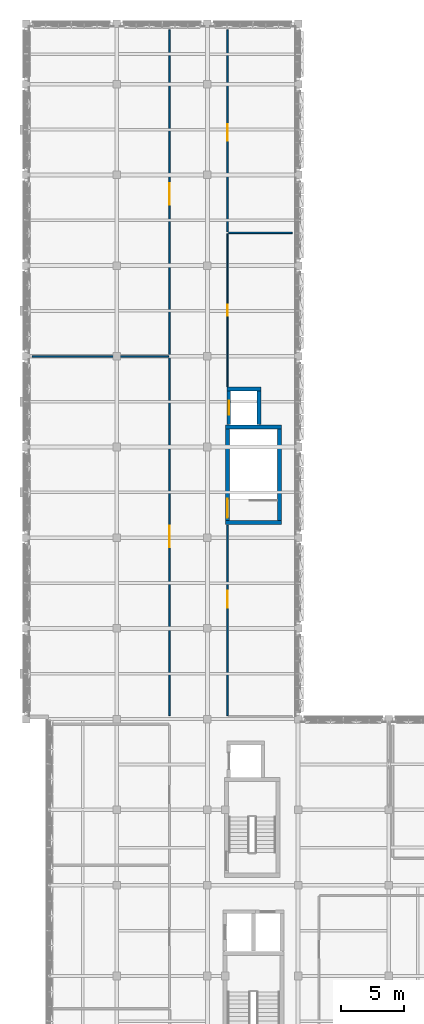
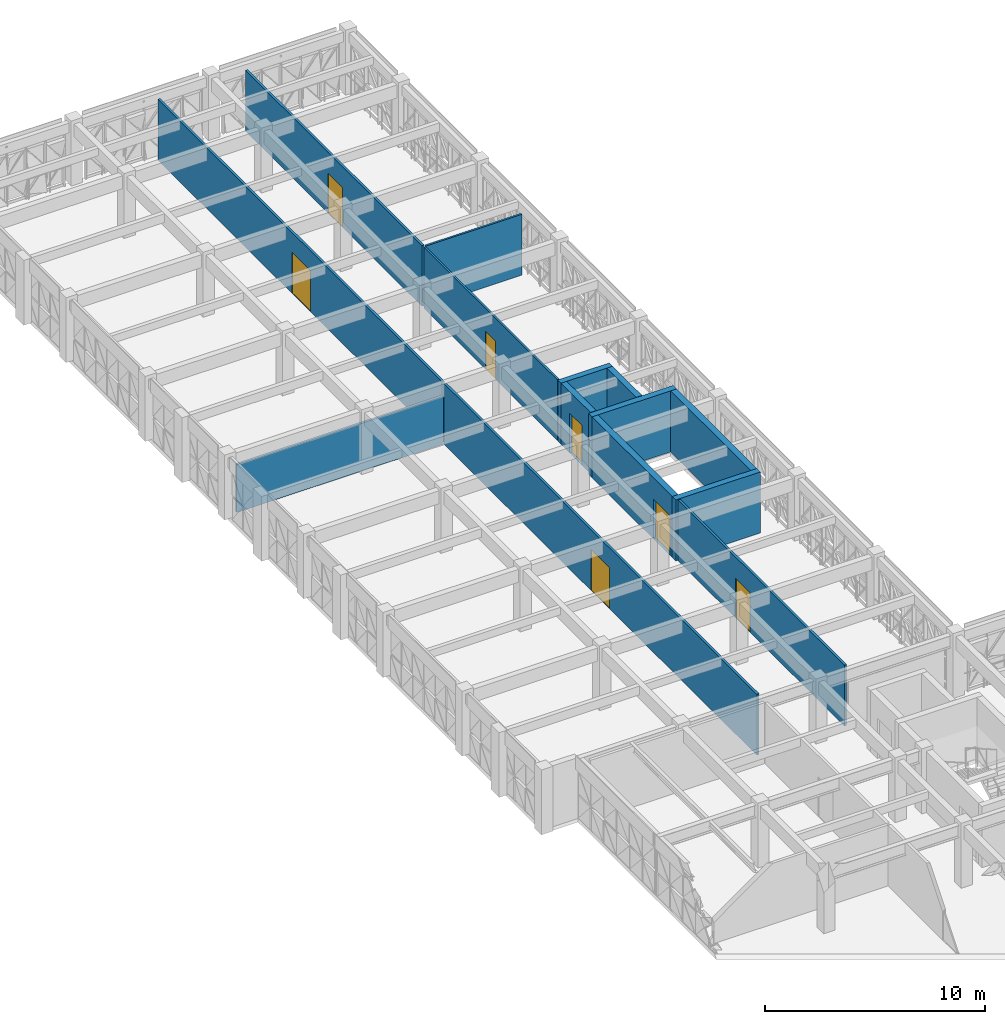
# One storey, part 43 of 74: 14 walls, 7 doors, 7 openings.
"""IFC4 building model written with IfcOpenShell, lengths in metres."""

from ifc_helpers import new_model, si_unit, direction, frame, frame_2d, origin, place, context, subcontext, project, spatial, rectangle, extrude, material, layer, layer_set, type_object, element, fill, save


model = new_model("IFC4")

# Units and contexts
model_context = context("Model", 3, precision=1e-05, world=origin(), true_north=direction((0.0, 1.0)))
body_context = subcontext(model_context, "Body", "Model", "MODEL_VIEW")
ifc_project = project(units=[si_unit("LENGTHUNIT", "METRE"), si_unit("AREAUNIT", "SQUARE_METRE"), si_unit("VOLUMEUNIT", "CUBIC_METRE"), si_unit("PLANEANGLEUNIT", "RADIAN"), si_unit("MASSUNIT", "GRAM", prefix="KILO")], contexts=[model_context])

# Site, building, storey
site_placement = place(None, origin())
site = spatial("IfcSite", under=ifc_project, at=site_placement, CompositionType="ELEMENT")
building_placement = place(site_placement, origin())
building = spatial("IfcBuilding", under=site, at=building_placement, Name="Alvorim Cloister Faculty of Sciences", CompositionType="ELEMENT")
storey_placement = place(building_placement, frame((0.0, 0.0, 15.75)))
storey = spatial("IfcBuildingStorey", under=building, at=storey_placement, Name="L04", CompositionType="ELEMENT", Elevation=15.75)

# Wall, opening, door
ifc_material_1 = material(Name="Moisture-Resistant Tile Stud Partition", Category="gypsum")
ifc_layer_1 = layer(ifc_material_1, 0.10009765625)
ifc_layer_set_1 = layer_set([ifc_layer_1], Name="Moisture-Resistant Tile Stud Partition")
wall_type_1 = type_object("IfcWallType", Name="WL-PRT-100", PredefinedType="PARTITIONING", material=ifc_layer_set_1)
wall_1_placement = place(storey_placement, frame((16.0, 82.7900390625, 0.0), z_axis=(0.0, 0.0, 1.0), x_axis=(0.0, 1.0, 0.0)))
wall_1 = element("IfcWall", 1, at=wall_1_placement, inside=storey, type_object=wall_type_1, Name="L04 L04 Commons Accessible WCs Partition IWL-0639", PredefinedType="PARTITIONING", context=body_context, shape_type="SweptSolid", body=[
    extrude(rectangle(XDim=12.1298828125, YDim=0.10009765625, at=frame_2d((6.06494140625, 0.0))), origin(), (0.0, 0.0, 1.0), 3.375),
])
opening_1_placement = place(wall_1_placement, frame((5.614990234375, 0.0, 0.0)))
opening_1 = element("IfcOpeningElement", 2, at=opening_1_placement, cuts=wall_1, Name="Opening D-L04-178", PredefinedType="OPENING", context=body_context, shape_type="SweptSolid", body=[
    extrude(rectangle(XDim=0.89990234375, YDim=2.10009765625, at=frame_2d((0.449951171875, 1.050048828125))), frame((0.0, 0.06201171875, 0.0), z_axis=(0.0, -1.0, 0.0), x_axis=(1.0, 0.0, 0.0)), (0.0, 0.0, 1.0), 0.1240234375),
])
ifc_material_2 = material(Name="Moisture-Resistant Laminate Timber", Category="wood")
door_type_1 = type_object("IfcDoorType", Name="DR-WC-900x2100", OperationType="NOTDEFINED", PredefinedType="DOOR", material=ifc_material_2)
door_1_placement = place(opening_1_placement, origin())
door_1 = element("IfcDoor", 3, at=door_1_placement, inside=storey, type_object=door_type_1, Name="L04 Commons Accessible WCs Door D-L04-178", OperationType="SINGLE_SWING_RIGHT", OverallHeight=2.10009765625, OverallWidth=0.89990234375, PredefinedType="DOOR", context=body_context, shape_type="SweptSolid", body=[
    extrude(rectangle(XDim=0.89990234375, YDim=2.10009765625, at=frame_2d((0.449951171875, 1.050048828125))), frame((0.0, 0.02490234375, 0.0), z_axis=(0.0, -1.0, 0.0), x_axis=(1.0, 0.0, 0.0)), (0.0, 0.0, 1.0), 0.050048828125),
])
fill(opening_1, door_1)

# Wall
wall_2_placement = place(storey_placement, frame((16.080078125, 95.0, 0.0), z_axis=(0.0, 0.0, 1.0), x_axis=(1.0, 0.0, 0.0)))
element("IfcWall", 4, at=wall_2_placement, inside=storey, type_object=wall_type_1, Name="L04 L04 Commons Accessible WCs Partition IWL-0640", PredefinedType="PARTITIONING", context=body_context, shape_type="SweptSolid", body=[
    extrude(rectangle(XDim=5.0400390625, YDim=0.10009765625, at=frame_2d((2.52001953125, 0.0))), origin(), (0.0, 0.0, 1.0), 3.375),
])

# Wall, opening, door
ifc_material_3 = material(Name="Acoustic Gypsum Stud Partition", Category="gypsum")
ifc_layer_2 = layer(ifc_material_3, 0.1201171875)
ifc_layer_set_2 = layer_set([ifc_layer_2], Name="Acoustic Gypsum Stud Partition")
wall_type_2 = type_object("IfcWallType", Name="WL-PRT-120", PredefinedType="PARTITIONING", material=ifc_layer_set_2)
wall_3_placement = place(storey_placement, frame((11.39990234375, 56.679931640625, 0.0), z_axis=(0.0, 0.0, 1.0), x_axis=(0.0, 1.0, 0.0)))
wall_3 = element("IfcWall", 5, at=wall_3_placement, inside=storey, type_object=wall_type_2, Name="L04 Gable-Crest Biosciences Reading Hall Partition IWL-0634", PredefinedType="PARTITIONING", context=body_context, shape_type="SweptSolid", body=[
    extrude(rectangle(XDim=28.440185546875, YDim=0.1201171875, at=frame_2d((14.22021484375, 0.0))), origin(), (0.0, 0.0, 1.0), 3.375),
])
opening_2_placement = place(wall_3_placement, frame((13.3701171875, 0.0, 0.0)))
opening_2 = element("IfcOpeningElement", 6, at=opening_2_placement, cuts=wall_3, Name="Opening D-L04-175", PredefinedType="OPENING", context=body_context, shape_type="SweptSolid", body=[
    extrude(rectangle(XDim=1.699951171875, YDim=2.280029296875, at=frame_2d((0.85009765625, 1.14013671875))), frame((0.0, 0.072021484375, 0.0), z_axis=(0.0, -1.0, 0.0), x_axis=(1.0, 0.0, 0.0)), (0.0, 0.0, 1.0), 0.14404296875),
])
ifc_material_4 = material(Name="Solid Acoustic Oak Timber", Category="wood")
door_type_2 = type_object("IfcDoorType", Name="DR-HALL-1700x2280", OperationType="NOTDEFINED", PredefinedType="DOOR", material=ifc_material_4)
door_2_placement = place(opening_2_placement, origin())
door_2 = element("IfcDoor", 7, at=door_2_placement, inside=storey, type_object=door_type_2, Name="Gable-Crest Biosciences Reading Hall Door D-L04-175", OperationType="DOUBLE_DOOR_SINGLE_SWING", OverallHeight=2.280029296875, OverallWidth=1.699951171875, PredefinedType="DOOR", context=body_context, shape_type="SweptSolid", body=[
    extrude(rectangle(XDim=1.699951171875, YDim=2.280029296875, at=frame_2d((0.85009765625, 1.14013671875))), frame((0.0, 0.02490234375, 0.0), z_axis=(0.0, -1.0, 0.0), x_axis=(1.0, 0.0, 0.0)), (0.0, 0.0, 1.0), 0.050048828125),
])
fill(opening_2, door_2)

# Wall
wall_4_placement = place(storey_placement, frame((0.47998046875, 85.199951171875, 0.0), z_axis=(0.0, 0.0, 1.0), x_axis=(1.0, 0.0, 0.0)))
element("IfcWall", 8, at=wall_4_placement, inside=storey, type_object=wall_type_2, Name="L04 Gable-Crest Biosciences Reading Hall Partition IWL-0635", PredefinedType="PARTITIONING", context=body_context, shape_type="SweptSolid", body=[
    extrude(rectangle(XDim=10.840087890625, YDim=0.1201171875, at=frame_2d((5.419921875, 0.0))), origin(), (0.0, 0.0, 1.0), 2.655029296875),
])

# Wall, opening, door
wall_5_placement = place(storey_placement, frame((11.39990234375, 85.280029296875, 0.0), z_axis=(0.0, 0.0, 1.0), x_axis=(0.0, 1.0, 0.0)))
wall_5 = element("IfcWall", 9, at=wall_5_placement, inside=storey, type_object=wall_type_2, Name="L04 North Gable Quiet Study Hall Partition IWL-0636", PredefinedType="PARTITIONING", context=body_context, shape_type="SweptSolid", body=[
    extrude(rectangle(XDim=25.840087890625, YDim=0.1201171875, at=frame_2d((12.919921875, 0.0))), origin(), (0.0, 0.0, 1.0), 3.375),
])
opening_3_placement = place(wall_5_placement, frame((11.93994140625, 0.0, 0.0)))
opening_3 = element("IfcOpeningElement", 10, at=opening_3_placement, cuts=wall_5, Name="Opening D-L04-176", PredefinedType="OPENING", context=body_context, shape_type="SweptSolid", body=[
    extrude(rectangle(XDim=1.699951171875, YDim=2.280029296875, at=frame_2d((0.85009765625, 1.14013671875))), frame((0.0, 0.072021484375, 0.0), z_axis=(0.0, -1.0, 0.0), x_axis=(1.0, 0.0, 0.0)), (0.0, 0.0, 1.0), 0.14404296875),
])
door_3_placement = place(opening_3_placement, origin())
door_3 = element("IfcDoor", 11, at=door_3_placement, inside=storey, type_object=door_type_2, Name="North Gable Quiet Study Hall Door D-L04-176", OperationType="DOUBLE_DOOR_SINGLE_SWING", OverallHeight=2.280029296875, OverallWidth=1.699951171875, PredefinedType="DOOR", context=body_context, shape_type="SweptSolid", body=[
    extrude(rectangle(XDim=1.699951171875, YDim=2.280029296875, at=frame_2d((0.85009765625, 1.14013671875))), frame((0.0, 0.02490234375, 0.0), z_axis=(0.0, -1.0, 0.0), x_axis=(1.0, 0.0, 0.0)), (0.0, 0.0, 1.0), 0.050048828125),
])
fill(opening_3, door_3)

wall_6_placement = place(storey_placement, frame((16.0, 56.679931640625, 0.0), z_axis=(0.0, 0.0, 1.0), x_axis=(0.0, 1.0, 0.0)))
wall_6 = element("IfcWall", 12, at=wall_6_placement, inside=storey, type_object=wall_type_2, Name="L04 High-Performance Scientific Computing Room Partition IWL-0637", PredefinedType="PARTITIONING", context=body_context, shape_type="SweptSolid", body=[
    extrude(rectangle(XDim=15.1201171875, YDim=0.1201171875, at=frame_2d((7.56005859375, 0.0))), origin(), (0.0, 0.0, 1.0), 3.375),
])
opening_4_placement = place(wall_6_placement, frame((8.570068359375, 0.0, 0.0)))
opening_4 = element("IfcOpeningElement", 13, at=opening_4_placement, cuts=wall_6, Name="Opening D-L04-177", PredefinedType="OPENING", context=body_context, shape_type="SweptSolid", body=[
    extrude(rectangle(XDim=1.320068359375, YDim=2.199951171875, at=frame_2d((0.66015625, 1.10009765625))), frame((0.0, 0.072021484375, 0.0), z_axis=(0.0, -1.0, 0.0), x_axis=(1.0, 0.0, 0.0)), (0.0, 0.0, 1.0), 0.14404296875),
])
door_type_3 = type_object("IfcDoorType", Name="DR-SEM-1320x2200", OperationType="NOTDEFINED", PredefinedType="DOOR", material=ifc_material_4)
door_4_placement = place(opening_4_placement, origin())
door_4 = element("IfcDoor", 14, at=door_4_placement, inside=storey, type_object=door_type_3, Name="High-Performance Scientific Computing Room Door D-L04-177", OperationType="SINGLE_SWING_LEFT", OverallHeight=2.199951171875, OverallWidth=1.320068359375, PredefinedType="DOOR", context=body_context, shape_type="SweptSolid", body=[
    extrude(rectangle(XDim=1.320068359375, YDim=2.199951171875, at=frame_2d((0.66015625, 1.10009765625))), frame((0.0, 0.02490234375, 0.0), z_axis=(0.0, -1.0, 0.0), x_axis=(1.0, 0.0, 0.0)), (0.0, 0.0, 1.0), 0.050048828125),
])
fill(opening_4, door_4)

wall_7_placement = place(storey_placement, frame((16.0, 95.080078125, 0.0), z_axis=(0.0, 0.0, 1.0), x_axis=(0.0, 1.0, 0.0)))
wall_7 = element("IfcWall", 15, at=wall_7_placement, inside=storey, type_object=wall_type_2, Name="L04 Graduate Thesis Defence Room Partition IWL-0641", PredefinedType="PARTITIONING", context=body_context, shape_type="SweptSolid", body=[
    extrude(rectangle(XDim=16.0400390625, YDim=0.1201171875, at=frame_2d((8.02001953125, 0.0))), origin(), (0.0, 0.0, 1.0), 3.375),
])
opening_5_placement = place(wall_7_placement, frame((7.22998046875, 0.0, 0.0)))
opening_5 = element("IfcOpeningElement", 16, at=opening_5_placement, cuts=wall_7, Name="Opening D-L04-179", PredefinedType="OPENING", context=body_context, shape_type="SweptSolid", body=[
    extrude(rectangle(XDim=1.320068359375, YDim=2.199951171875, at=frame_2d((0.66015625, 1.10009765625))), frame((0.0, 0.072021484375, 0.0), z_axis=(0.0, -1.0, 0.0), x_axis=(1.0, 0.0, 0.0)), (0.0, 0.0, 1.0), 0.14404296875),
])
door_5_placement = place(opening_5_placement, origin())
door_5 = element("IfcDoor", 17, at=door_5_placement, inside=storey, type_object=door_type_3, Name="Graduate Thesis Defence Room Door D-L04-179", OperationType="SINGLE_SWING_LEFT", OverallHeight=2.199951171875, OverallWidth=1.320068359375, PredefinedType="DOOR", context=body_context, shape_type="SweptSolid", body=[
    extrude(rectangle(XDim=1.320068359375, YDim=2.199951171875, at=frame_2d((0.66015625, 1.10009765625))), frame((0.0, 0.02490234375, 0.0), z_axis=(0.0, -1.0, 0.0), x_axis=(1.0, 0.0, 0.0)), (0.0, 0.0, 1.0), 0.050048828125),
])
fill(opening_5, door_5)

# Wall
ifc_material_5 = material(Name="Concrete C40", Category="concrete")
ifc_layer_3 = layer(ifc_material_5, 0.300048828125)
ifc_layer_set_3 = layer_set([ifc_layer_3], Name="Concrete C40")
wall_type_3 = type_object("IfcWallType", Name="WL-SHR-300", PredefinedType="SHEAR", material=ifc_layer_set_3)
wall_8_placement = place(storey_placement, frame((15.949951171875, 82.60009765625, 0.0), z_axis=(0.0, 0.0, 1.0), x_axis=(1.0, 0.0, 0.0)))
element("IfcWall", 18, at=wall_8_placement, inside=storey, type_object=wall_type_3, Name="L04 Lift LP-05 Shaft Wall IWL-0377", PredefinedType="SHEAR", context=body_context, shape_type="SweptSolid", body=[
    extrude(rectangle(XDim=2.699951171875, YDim=0.300048828125, at=frame_2d((1.35009765625, 0.0))), origin(), (0.0, 0.0, 1.0), 3.389892578125),
])

# Wall, opening, door
wall_9_placement = place(storey_placement, frame((16.10009765625, 79.780029296875, 0.0), z_axis=(0.0, 0.0, 1.0), x_axis=(0.0, 1.0, 0.0)))
wall_9 = element("IfcWall", 19, at=wall_9_placement, inside=storey, type_object=wall_type_3, Name="L04 Lift LP-05 Shaft Wall IWL-0378", PredefinedType="SHEAR", context=body_context, shape_type="SweptSolid", body=[
    extrude(rectangle(XDim=2.669921875, YDim=0.300048828125, at=frame_2d((1.3349609375, 0.0))), origin(), (0.0, 0.0, 1.0), 3.389892578125),
])
opening_6_placement = place(wall_9_placement, frame((0.784912109375, 0.0, 0.0)))
opening_6 = element("IfcOpeningElement", 20, at=opening_6_placement, cuts=wall_9, Name="Opening LD-056", PredefinedType="OPENING", context=body_context, shape_type="SweptSolid", body=[
    extrude(rectangle(XDim=1.10009765625, YDim=2.199951171875, at=frame_2d((0.550048828125, 1.10009765625))), frame((0.0, 0.162109375, 0.0), z_axis=(0.0, -1.0, 0.0), x_axis=(1.0, 0.0, 0.0)), (0.0, 0.0, 1.0), 0.323974609375),
])
ifc_material_6 = material(Name="Brushed Stainless Steel", Category="steel")
door_type_4 = type_object("IfcDoorType", Name="DR-LFT-1100x2200", OperationType="NOTDEFINED", PredefinedType="DOOR", material=ifc_material_6)
door_6_placement = place(opening_6_placement, origin())
door_6 = element("IfcDoor", 21, at=door_6_placement, inside=storey, type_object=door_type_4, Name="L04 Lift LP-05 Sliding Landing Door LD-056", OperationType="DOUBLE_DOOR_SLIDING", OverallHeight=2.199951171875, OverallWidth=1.10009765625, PredefinedType="DOOR", context=body_context, shape_type="SweptSolid", body=[
    extrude(rectangle(XDim=1.10009765625, YDim=2.199951171875, at=frame_2d((0.550048828125, 1.10009765625))), frame((0.0, 0.02490234375, 0.0), z_axis=(0.0, -1.0, 0.0), x_axis=(1.0, 0.0, 0.0)), (0.0, 0.0, 1.0), 0.050048828125),
])
fill(opening_6, door_6)

# Walls
wall_10_placement = place(storey_placement, frame((18.5, 79.780029296875, 0.0), z_axis=(0.0, 0.0, 1.0), x_axis=(0.0, 1.0, 0.0)))
element("IfcWall", 22, at=wall_10_placement, inside=storey, type_object=wall_type_3, Name="L04 Lift LP-05 Shaft Wall IWL-0379", PredefinedType="SHEAR", context=body_context, shape_type="SweptSolid", body=[
    extrude(rectangle(XDim=2.669921875, YDim=0.300048828125, at=frame_2d((1.3349609375, 0.0))), origin(), (0.0, 0.0, 1.0), 3.389892578125),
])
ifc_layer_4 = layer(ifc_material_5, 0.320068359375)
ifc_layer_set_4 = layer_set([ifc_layer_4], Name="Concrete C40")
wall_type_4 = type_object("IfcWallType", Name="WL-SHR-320", PredefinedType="SHEAR", material=ifc_layer_set_4)
for number, where, z_axis, x_axis, name in (
    (23, (15.840087890625, 72.0, 0.0), (0.0, 0.0, 1.0), (1.0, 0.0, 0.0), "L04 CORE K5 Shear Wall IWL-0181"),
    (24, (15.840087890625, 79.60009765625, 0.0), (0.0, 0.0, 1.0), (1.0, 0.0, 0.0), "L04 CORE K5 Shear Wall IWL-0182"),
):
    element("IfcWall", number, at=place(storey_placement, frame(where, z_axis=z_axis, x_axis=x_axis)), inside=storey, type_object=wall_type_4, Name=name, PredefinedType="SHEAR", context=body_context, shape_type="SweptSolid", body=[
        extrude(rectangle(XDim=4.43994140625, YDim=0.320068359375, at=frame_2d((2.219970703125, 0.0))), origin(), (0.0, 0.0, 1.0), 3.389892578125),
    ])

# Wall, opening, door
wall_11_placement = place(storey_placement, frame((16.0, 72.159912109375, 0.0), z_axis=(0.0, 0.0, 1.0), x_axis=(0.0, 1.0, 0.0)))
wall_11 = element("IfcWall", 25, at=wall_11_placement, inside=storey, type_object=wall_type_4, Name="L04 CORE K5 Shear Wall IWL-0183", PredefinedType="SHEAR", context=body_context, shape_type="SweptSolid", body=[
    extrude(rectangle(XDim=7.280029296875, YDim=0.320068359375, at=frame_2d((3.64013671875, 0.0))), origin(), (0.0, 0.0, 1.0), 3.389892578125),
])
opening_7_placement = place(wall_11_placement, frame((0.219970703125, 0.0, 0.0)))
opening_7 = element("IfcOpeningElement", 26, at=opening_7_placement, cuts=wall_11, Name="Opening SD-K5-L04", PredefinedType="OPENING", context=body_context, shape_type="SweptSolid", body=[
    extrude(rectangle(XDim=1.5, YDim=2.199951171875, at=frame_2d((0.75, 1.10009765625))), frame((0.0, 0.171875, 0.0), z_axis=(0.0, -1.0, 0.0), x_axis=(1.0, 0.0, 0.0)), (0.0, 0.0, 1.0), 0.343994140625),
])
ifc_material_7 = material(Name="Galvanised Fire-Rated Steel", Category="steel")
door_type_5 = type_object("IfcDoorType", Name="DR-STR-1500x2200", OperationType="NOTDEFINED", PredefinedType="DOOR", material=ifc_material_7)
door_7_placement = place(opening_7_placement, origin())
door_7 = element("IfcDoor", 27, at=door_7_placement, inside=storey, type_object=door_type_5, Name="L04 Stair ST-05 Fire Door SD-K5-L04", OperationType="DOUBLE_DOOR_SINGLE_SWING", OverallHeight=2.199951171875, OverallWidth=1.5, PredefinedType="DOOR", context=body_context, shape_type="SweptSolid", body=[
    extrude(rectangle(XDim=1.5, YDim=2.199951171875, at=frame_2d((0.75, 1.10009765625))), frame((0.0, 0.02490234375, 0.0), z_axis=(0.0, -1.0, 0.0), x_axis=(1.0, 0.0, 0.0)), (0.0, 0.0, 1.0), 0.050048828125),
])
fill(opening_7, door_7)

# Wall
wall_12_placement = place(storey_placement, frame((20.1201171875, 72.159912109375, 0.0), z_axis=(0.0, 0.0, 1.0), x_axis=(0.0, 1.0, 0.0)))
element("IfcWall", 28, at=wall_12_placement, inside=storey, type_object=wall_type_4, Name="L04 CORE K5 Shear Wall IWL-0184", PredefinedType="SHEAR", context=body_context, shape_type="SweptSolid", body=[
    extrude(rectangle(XDim=7.280029296875, YDim=0.320068359375, at=frame_2d((3.64013671875, 0.0))), origin(), (0.0, 0.0, 1.0), 3.389892578125),
])

save(model, "model.ifc")
